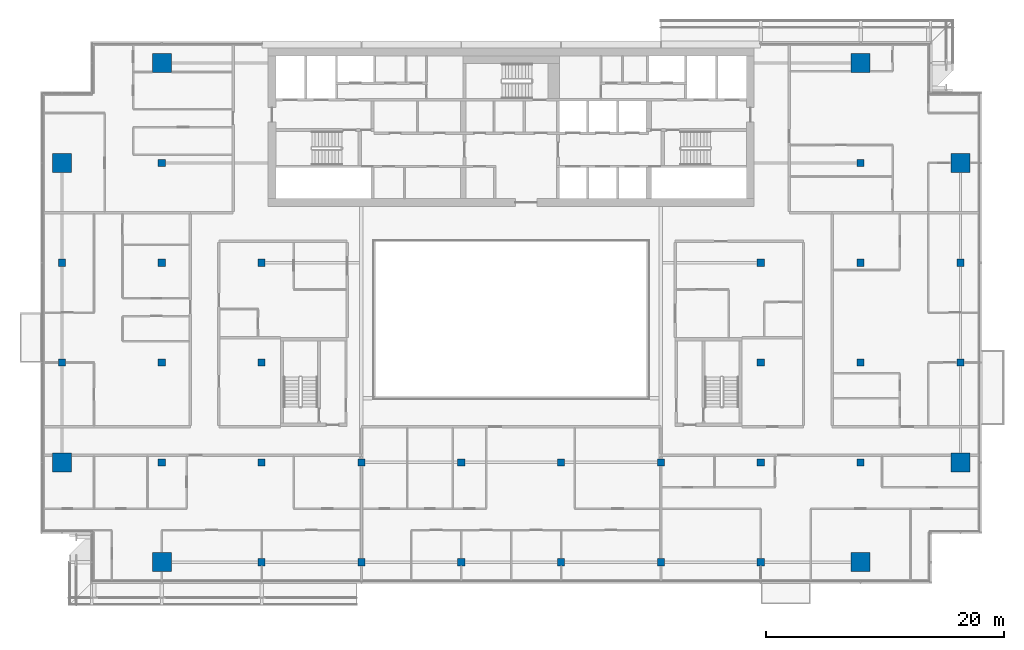
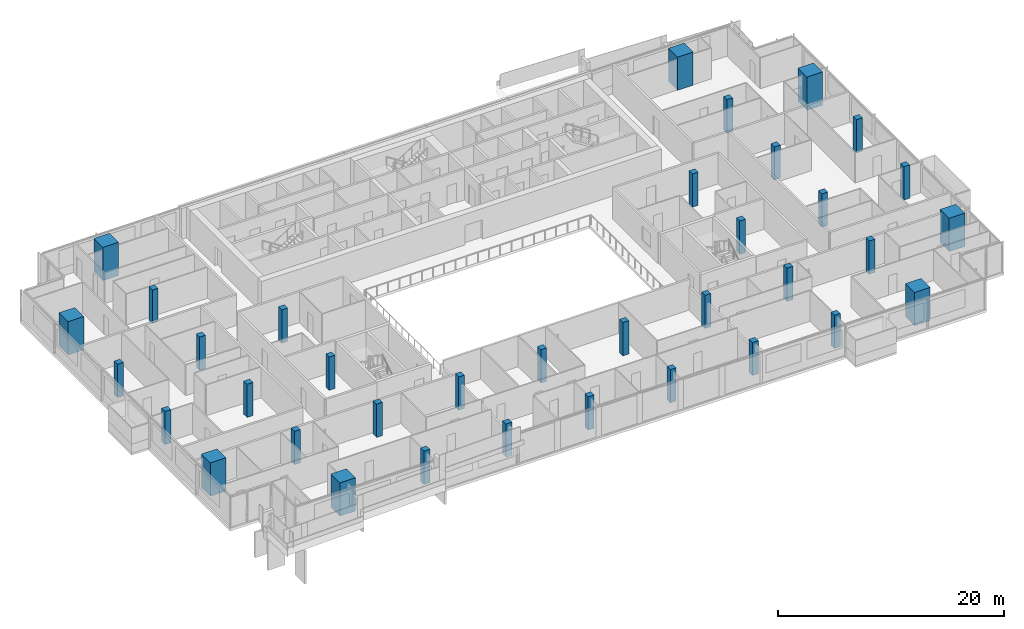
# One storey, part 1 of 29: 36 columns.
"""IFC4 building model written with IfcOpenShell, lengths in metres."""

import ifcopenshell
import ifcopenshell.guid

model = None  # the IFC model being written
_history = None  # IfcOwnerHistory: only IFC2X3 demands one
_inside = {}  # id of a spatial element -> (the spatial element, [elements in it])
_under = {}  # id of a project, library or spatial element -> (it, [spatial elements below it])
_declared = {}  # id of a project -> (the project, [libraries it declares])
_typed = {}  # id of a type object -> (the type object, [elements of that type])
_made_of = {}  # id of a material, layer set ... -> (it, [elements and type objects made of it])


def new_model(schema):
    """Start an empty IFC model of exactly this schema.

    Asked for "IFC4X3", IfcOpenShell would pick the latest addendum, in which some entities
    have other attributes; the version numbers below select the first issue.
    IFC2X3 requires an IfcOwnerHistory on every rooted entity: one is made here for all.
    """
    global model, _history
    if schema == "IFC4X3":
        model = ifcopenshell.file(schema_version=(4, 3, 0, 0))
    else:
        model = ifcopenshell.file(schema=schema)
    _inside.clear()
    _under.clear()
    _declared.clear()
    _typed.clear()
    _made_of.clear()
    _history = None
    if model.schema == "IFC2X3":
        org = make("IfcOrganization", Name="unknown")
        user = make(
            "IfcPersonAndOrganization",
            ThePerson=make("IfcPerson", FamilyName="unknown"),
            TheOrganization=org,
        )
        app = make(
            "IfcApplication",
            ApplicationDeveloper=org,
            Version="unknown",
            ApplicationFullName="unknown",
            ApplicationIdentifier="unknown",
        )
        _history = make(
            "IfcOwnerHistory",
            OwningUser=user,
            OwningApplication=app,
            ChangeAction="ADDED",
            CreationDate=0,
        )
    return model


def make(cls, **values):
    """One entity of the class cls with the attributes given. An attribute that is None is left unset."""
    return model.create_entity(
        cls, **{name: value for name, value in values.items() if value is not None}
    )


def rooted(cls, **values):
    """An entity with a GlobalId (a new one), such as an element, a storey or a relation."""
    return make(cls, GlobalId=ifcopenshell.guid.new(), OwnerHistory=_history, **values)


def si_unit(unit_type, name, prefix=None):
    """IfcSIUnit, for example si_unit("LENGTHUNIT", "METRE", prefix="MILLI")."""
    return make("IfcSIUnit", UnitType=unit_type, Prefix=prefix, Name=name)


def assignment(units):
    """IfcUnitAssignment: the units of a project."""
    return None if units is None else make("IfcUnitAssignment", Units=units)


def point(xyz):
    """IfcCartesianPoint."""
    return None if xyz is None else make("IfcCartesianPoint", Coordinates=xyz)


def direction(xyz):
    """IfcDirection."""
    return None if xyz is None else make("IfcDirection", DirectionRatios=xyz)


def frame(location, z_axis=None, x_axis=None):
    """IfcAxis2Placement3D, a coordinate frame: its origin and axes. An axis left out is left unset."""
    return make(
        "IfcAxis2Placement3D",
        Location=point(location),
        Axis=direction(z_axis),
        RefDirection=direction(x_axis),
    )


def frame_2d(location, x_axis=None):
    """IfcAxis2Placement2D, a coordinate frame in the plane: its origin and x axis."""
    return make(
        "IfcAxis2Placement2D", Location=point(location), RefDirection=direction(x_axis)
    )


def origin():
    """The frame at (0, 0, 0) with its axes left unset."""
    return frame((0.0, 0.0, 0.0))


def origin_2d():
    """The frame at (0, 0) in the plane with its x axis left unset."""
    return frame_2d((0.0, 0.0))


def place(relative_to, where):
    """IfcLocalPlacement: puts the frame where relative to a parent placement (None: the world)."""
    return make(
        "IfcLocalPlacement", PlacementRelTo=relative_to, RelativePlacement=where
    )


def context(
    kind, dimensions, precision=None, world=None, true_north=None, identifier=None
):
    """IfcGeometricRepresentationContext, for example the 3D "Model" context."""
    return make(
        "IfcGeometricRepresentationContext",
        ContextIdentifier=identifier,
        ContextType=kind,
        CoordinateSpaceDimension=dimensions,
        Precision=precision,
        WorldCoordinateSystem=world,
        TrueNorth=true_north,
    )


def subcontext(parent, identifier, kind, view, scale=None):
    """IfcGeometricRepresentationSubContext, for example "Body" below "Model"."""
    return make(
        "IfcGeometricRepresentationSubContext",
        ContextIdentifier=identifier,
        ContextType=kind,
        ParentContext=parent,
        TargetScale=scale,
        TargetView=view,
    )


def project(units=None, contexts=None):
    """IfcProject with its units and contexts."""
    return rooted(
        "IfcProject",
        Name="project",
        RepresentationContexts=contexts,
        UnitsInContext=assignment(units),
    )


def spatial(cls, under=None, at=None, **own):
    """A site, building, storey or space (cls), placed at a placement, below another one or the project."""
    s = rooted(cls, ObjectPlacement=at, **own)
    if under is not None:
        _under.setdefault(under.id(), (under, []))[1].append(s)
    return s


def profile(cls, at=None, kind="AREA", **sizes):
    """A parametric profile (cls). Its sizes go by their IFC names, for example OverallWidth=200.0."""
    return make(cls, ProfileType=kind, Position=at, **sizes)


def rectangle(**sizes):
    """IfcRectangleProfileDef."""
    return profile("IfcRectangleProfileDef", **sizes)


def extrude(swept, where, along, depth):
    """IfcExtrudedAreaSolid: the profile swept, set in the frame where, extruded along a direction by depth."""
    return make(
        "IfcExtrudedAreaSolid",
        SweptArea=swept,
        Position=where,
        ExtrudedDirection=direction(along),
        Depth=depth,
    )


def shape(context_of_items, identifier, shape_type, items):
    """IfcShapeRepresentation: the items that make up one representation, for example the "Body"."""
    return make(
        "IfcShapeRepresentation",
        ContextOfItems=context_of_items,
        RepresentationIdentifier=identifier,
        RepresentationType=shape_type,
        Items=items,
    )


def material(Name=None, Category=None):
    """IfcMaterial."""
    return make("IfcMaterial", Name=Name, Category=Category)


def material_profile(
    of_material, cross_section, Name=None, Category=None, Priority=None
):
    """IfcMaterialProfile: a cross section and its material."""
    return make(
        "IfcMaterialProfile",
        Name=Name,
        Material=of_material,
        Profile=cross_section,
        Priority=Priority,
        Category=Category,
    )


def profile_set(profiles, Name=None, composite=None):
    """IfcMaterialProfileSet."""
    return make(
        "IfcMaterialProfileSet",
        Name=Name,
        MaterialProfiles=profiles,
        CompositeProfile=composite,
    )


def made_of(thing, what):
    """Note that an element or type object is made of a material, layer set ...; save() writes the relation."""
    if what is not None:
        _made_of.setdefault(what.id(), (what, []))[1].append(thing)
    return thing


def type_object(cls, material=None, **own):
    """A type object (cls), such as IfcWallType, which elements share."""
    return made_of(rooted(cls, **own), material)


def element(
    cls,
    number,
    at=None,
    inside=None,
    cuts=None,
    type_object=None,
    material=None,
    context=None,
    identifier="Body",
    shape_type=None,
    held_by="IfcProductDefinitionShape",
    body=None,
    shapes=None,
    **own,
):
    """One element of the class cls, such as IfcWall. Its Tag is "e" and its number.

    at: its placement. inside: the storey or other place that contains it. cuts: it is an
    opening in that element (IfcRelVoidsElement). A single representation is given by context,
    identifier, shape_type and body (its items); several are given by shapes. held_by: the class
    of the entity that holds the representations. save() writes the other relations.
    """
    e = rooted(cls, Tag="e%d" % number, ObjectPlacement=at, **own)
    if body is not None:
        shapes = [shape(context, identifier, shape_type, body)]
    if shapes is not None:
        e.Representation = make(held_by, Representations=shapes)
    if inside is not None:
        _inside.setdefault(inside.id(), (inside, []))[1].append(e)
    if cuts is not None:
        rooted(
            "IfcRelVoidsElement", RelatingBuildingElement=cuts, RelatedOpeningElement=e
        )
    if type_object is not None:
        _typed.setdefault(type_object.id(), (type_object, []))[1].append(e)
    return made_of(e, material)


def aggregate(whole, parts):
    """IfcRelAggregates: a whole, such as a stair, and the parts it consists of."""
    return rooted("IfcRelAggregates", RelatingObject=whole, RelatedObjects=parts)


def save(model, path):
    """Write the relations noted so far, then the file.

    IfcRelAggregates (storeys below a building ...), IfcRelContainedInSpatialStructure (elements
    in a storey), IfcRelDefinesByType, IfcRelAssociatesMaterial and IfcRelDeclares: one each for
    every whole, place, type object, material and project.
    """
    for whole, parts in _under.values():
        aggregate(whole, parts)
    for where, things in _inside.values():
        rooted(
            "IfcRelContainedInSpatialStructure",
            RelatedElements=things,
            RelatingStructure=where,
        )
    for kind, things in _typed.values():
        rooted("IfcRelDefinesByType", RelatedObjects=things, RelatingType=kind)
    for what, things in _made_of.values():
        rooted("IfcRelAssociatesMaterial", RelatedObjects=things, RelatingMaterial=what)
    for by, libraries in _declared.values():
        rooted("IfcRelDeclares", RelatingContext=by, RelatedDefinitions=libraries)
    model.write(path)


model = new_model("IFC4")

# Units and contexts
model_context = context("Model", 3, precision=1e-05, world=origin(), true_north=direction((0.0, 1.0)))
body_context = subcontext(model_context, "Body", "Model", "MODEL_VIEW")
ifc_project = project(units=[si_unit("LENGTHUNIT", "METRE"), si_unit("AREAUNIT", "SQUARE_METRE"), si_unit("VOLUMEUNIT", "CUBIC_METRE"), si_unit("PLANEANGLEUNIT", "RADIAN"), si_unit("MASSUNIT", "GRAM", prefix="KILO")], contexts=[model_context])

# Site, building, storey
site_placement = place(None, origin())
site = spatial("IfcSite", under=ifc_project, at=site_placement, CompositionType="ELEMENT")
building_placement = place(site_placement, origin())
building = spatial("IfcBuilding", under=site, at=building_placement, Name="Saffron Gate Tower", CompositionType="ELEMENT")
storey_placement = place(building_placement, frame((0.0, 0.0, 227.10009765625)))
storey = spatial("IfcBuildingStorey", under=building, at=storey_placement, Name="L55", CompositionType="ELEMENT", Elevation=227.10009765625)

# Columns
ifc_material_1 = material(Name="Concrete C50", Category="concrete")
ifc_material_profile_1 = material_profile(ifc_material_1, rectangle(XDim=0.60009765625, YDim=0.60009765625, at=origin_2d()))
ifc_profile_set_1 = profile_set([ifc_material_profile_1], Name="Concrete C50")
column_type_1 = type_object("IfcColumnType", Name="C2 RC 600x600 CONCRETE C50", PredefinedType="COLUMN", material=ifc_profile_set_1)
for number, where, z_axis, x_axis, name in (
    (1, (49.800048828125, 48.60009765625, 0.0), (0.0, 0.0, 1.0), (1.0, 0.0, 0.0), "C2 COLUMN X1-C"),
    (2, (49.800048828125, 57.0, 0.0), (0.0, 0.0, 1.0), (1.0, 0.0, 0.0), "C2 COLUMN X1-D"),
    (3, (58.199951171875, 40.199951171875, 0.0), (0.0, 0.0, 1.0), (1.0, 0.0, 0.0), "C2 COLUMN X2-B"),
    (4, (58.199951171875, 48.60009765625, 0.0), (0.0, 0.0, 1.0), (1.0, 0.0, 0.0), "C2 COLUMN X2-C"),
    (5, (58.199951171875, 57.0, 0.0), (0.0, 0.0, 1.0), (1.0, 0.0, 0.0), "C2 COLUMN X2-D"),
    (6, (58.199951171875, 65.39990234375, 0.0), (0.0, 0.0, 1.0), (1.0, 0.0, 0.0), "C2 COLUMN X2-E"),
    (7, (66.60009765625, 31.800048828125, 0.0), (0.0, 0.0, 1.0), (1.0, 0.0, 0.0), "C2 COLUMN X3-A"),
    (8, (66.60009765625, 40.199951171875, 0.0), (0.0, 0.0, 1.0), (1.0, 0.0, 0.0), "C2 COLUMN X3-B"),
    (9, (66.60009765625, 48.60009765625, 0.0), (0.0, 0.0, 1.0), (1.0, 0.0, 0.0), "C2 COLUMN X3-C"),
    (10, (66.60009765625, 57.0, 0.0), (0.0, 0.0, 1.0), (1.0, 0.0, 0.0), "C2 COLUMN X3-D"),
    (11, (75.0, 31.800048828125, 0.0), (0.0, 0.0, 1.0), (1.0, 0.0, 0.0), "C2 COLUMN X4-A"),
    (12, (75.0, 40.199951171875, 0.0), (0.0, 0.0, 1.0), (1.0, 0.0, 0.0), "C2 COLUMN X4-B"),
    (13, (83.39990234375, 31.800048828125, 0.0), (0.0, 0.0, 1.0), (1.0, 0.0, 0.0), "C2 COLUMN X5-A"),
    (14, (83.39990234375, 40.199951171875, 0.0), (0.0, 0.0, 1.0), (1.0, 0.0, 0.0), "C2 COLUMN X5-B"),
    (15, (91.800048828125, 31.800048828125, 0.0), (0.0, 0.0, 1.0), (1.0, 0.0, 0.0), "C2 COLUMN X6-A"),
    (16, (91.800048828125, 40.199951171875, 0.0), (0.0, 0.0, 1.0), (1.0, 0.0, 0.0), "C2 COLUMN X6-B"),
    (17, (100.199951171875, 31.800048828125, 0.0), (0.0, 0.0, 1.0), (1.0, 0.0, 0.0), "C2 COLUMN X7-A"),
    (18, (100.199951171875, 40.199951171875, 0.0), (0.0, 0.0, 1.0), (1.0, 0.0, 0.0), "C2 COLUMN X7-B"),
    (19, (108.60009765625, 31.800048828125, 0.0), (0.0, 0.0, 1.0), (1.0, 0.0, 0.0), "C2 COLUMN X8-A"),
    (20, (108.60009765625, 40.199951171875, 0.0), (0.0, 0.0, 1.0), (1.0, 0.0, 0.0), "C2 COLUMN X8-B"),
    (21, (108.60009765625, 48.60009765625, 0.0), (0.0, 0.0, 1.0), (1.0, 0.0, 0.0), "C2 COLUMN X8-C"),
    (22, (108.60009765625, 57.0, 0.0), (0.0, 0.0, 1.0), (1.0, 0.0, 0.0), "C2 COLUMN X8-D"),
    (23, (117.0, 40.199951171875, 0.0), (0.0, 0.0, 1.0), (1.0, 0.0, 0.0), "C2 COLUMN X9-B"),
    (24, (117.0, 48.60009765625, 0.0), (0.0, 0.0, 1.0), (1.0, 0.0, 0.0), "C2 COLUMN X9-C"),
    (25, (117.0, 57.0, 0.0), (0.0, 0.0, 1.0), (1.0, 0.0, 0.0), "C2 COLUMN X9-D"),
    (26, (117.0, 65.39990234375, 0.0), (0.0, 0.0, 1.0), (1.0, 0.0, 0.0), "C2 COLUMN X9-E"),
    (27, (125.39990234375, 48.60009765625, 0.0), (0.0, 0.0, 1.0), (1.0, 0.0, 0.0), "C2 COLUMN X10-C"),
    (28, (125.39990234375, 57.0, 0.0), (0.0, 0.0, 1.0), (1.0, 0.0, 0.0), "C2 COLUMN X10-D"),
):
    element("IfcColumn", number, at=place(storey_placement, frame(where, z_axis=z_axis, x_axis=x_axis)), inside=storey, type_object=column_type_1, Name=name, PredefinedType="COLUMN", context=body_context, shape_type="SweptSolid", body=[
        extrude(rectangle(XDim=0.60009765625, YDim=0.60009765625, at=origin_2d()), origin(), (0.0, 0.0, 1.0), 3.599853515625),
    ])
ifc_material_2 = material(Name="Concrete C70", Category="concrete")
ifc_material_profile_2 = material_profile(ifc_material_2, rectangle(XDim=1.60009765625, YDim=1.60009765625, at=origin_2d()))
ifc_profile_set_2 = profile_set([ifc_material_profile_2], Name="Concrete C70")
column_type_2 = type_object("IfcColumnType", Name="MC1 RC 1600x1600 CONCRETE C70", PredefinedType="COLUMN", material=ifc_profile_set_2)
for number, where, z_axis, x_axis, name in (
    (29, (49.800048828125, 40.199951171875, 0.0), (0.0, 0.0, 1.0), (1.0, 0.0, 0.0), "MC1 MEGA COLUMN X1-B"),
    (30, (49.800048828125, 65.39990234375, 0.0), (0.0, 0.0, 1.0), (1.0, 0.0, 0.0), "MC1 MEGA COLUMN X1-E"),
    (31, (58.199951171875, 31.800048828125, 0.0), (0.0, 0.0, 1.0), (1.0, 0.0, 0.0), "MC1 MEGA COLUMN X2-A"),
    (32, (58.199951171875, 73.800048828125, 0.0), (0.0, 0.0, 1.0), (1.0, 0.0, 0.0), "MC1 MEGA COLUMN X2-F"),
    (33, (117.0, 31.800048828125, 0.0), (0.0, 0.0, 1.0), (1.0, 0.0, 0.0), "MC1 MEGA COLUMN X9-A"),
    (34, (117.0, 73.800048828125, 0.0), (0.0, 0.0, 1.0), (1.0, 0.0, 0.0), "MC1 MEGA COLUMN X9-F"),
    (35, (125.39990234375, 40.199951171875, 0.0), (0.0, 0.0, 1.0), (1.0, 0.0, 0.0), "MC1 MEGA COLUMN X10-B"),
    (36, (125.39990234375, 65.39990234375, 0.0), (0.0, 0.0, 1.0), (1.0, 0.0, 0.0), "MC1 MEGA COLUMN X10-E"),
):
    element("IfcColumn", number, at=place(storey_placement, frame(where, z_axis=z_axis, x_axis=x_axis)), inside=storey, type_object=column_type_2, Name=name, PredefinedType="COLUMN", context=body_context, shape_type="SweptSolid", body=[
        extrude(rectangle(XDim=1.60009765625, YDim=1.60009765625, at=origin_2d()), origin(), (0.0, 0.0, 1.0), 3.599853515625),
    ])

save(model, "model.ifc")
